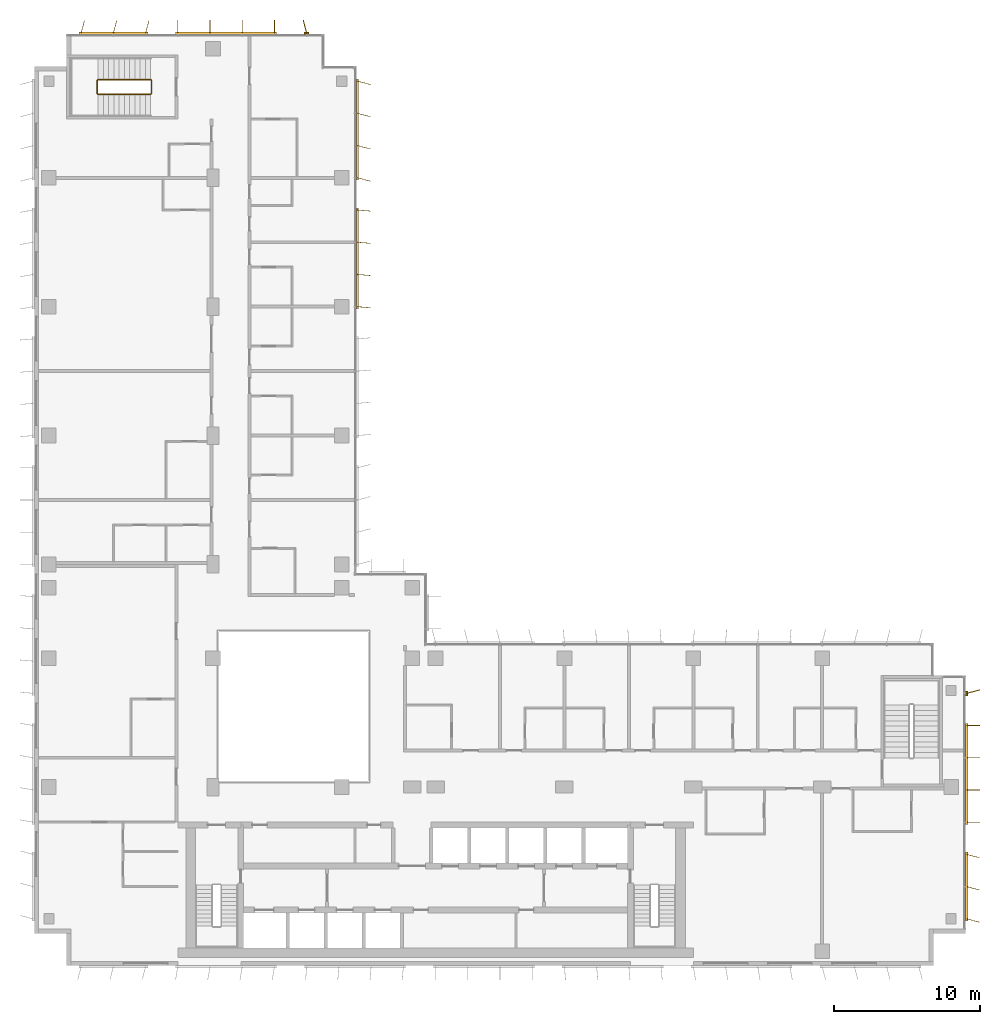
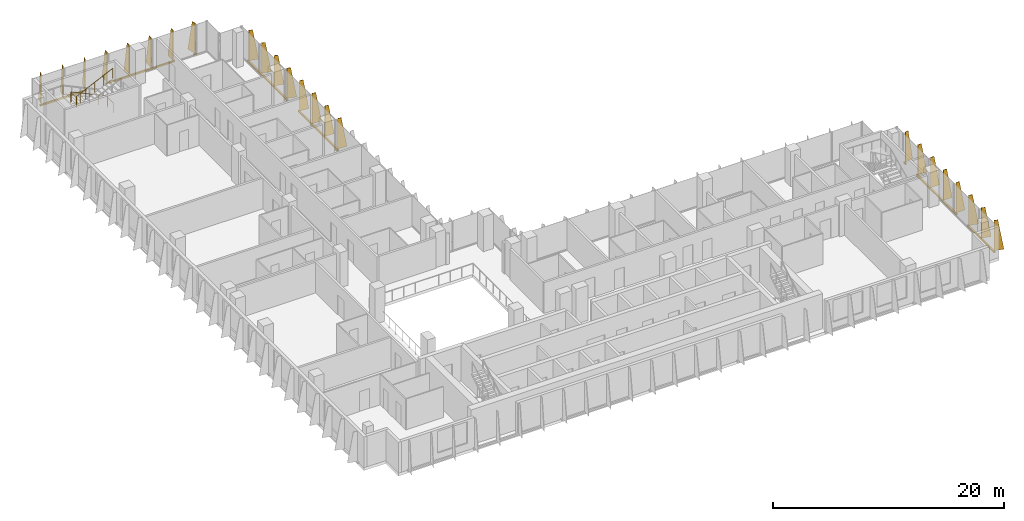
# One storey, part 21 of 21: 8 shading devices, 1 railing.
"""IFC4 building model written with IfcOpenShell, lengths in metres."""

from ifc_helpers import new_model, si_unit, direction, frame, origin, origin_2d, place, context, subcontext, project, spatial, polyline, rectangle, circle, outline, extrude, source, transform, mapped, material, layer, layer_set, type_object, element, save


model = new_model("IFC4")

# Units and contexts
model_context = context("Model", 3, precision=1e-05, world=origin(), true_north=direction((0.0, 1.0)))
body_context = subcontext(model_context, "Body", "Model", "MODEL_VIEW")
ifc_project = project(units=[si_unit("LENGTHUNIT", "METRE"), si_unit("AREAUNIT", "SQUARE_METRE"), si_unit("VOLUMEUNIT", "CUBIC_METRE"), si_unit("PLANEANGLEUNIT", "RADIAN"), si_unit("MASSUNIT", "GRAM", prefix="KILO")], contexts=[model_context])

# Site, building, storey
site_placement = place(None, origin())
site = spatial("IfcSite", under=ifc_project, at=site_placement, CompositionType="ELEMENT")
building_placement = place(site_placement, origin())
building = spatial("IfcBuilding", under=site, at=building_placement, Name="Kemantara Hotel Tower", CompositionType="ELEMENT")
storey_placement = place(building_placement, frame((0.0, 0.0, 219.10009765625)))
storey = spatial("IfcBuildingStorey", under=building, at=storey_placement, Name="L54", CompositionType="ELEMENT", Elevation=219.10009765625)

# Railing
ifc_material_1 = material(Name="Stainless steel balustrade", Category="steel")
railing_type = type_object("IfcRailingType", Name="Stair guard 1100 mm", PredefinedType="GUARDRAIL", material=ifc_material_1)
railing_placement = place(storey_placement, frame((7.949951171875, 59.5, 3.699951171875)))
element("IfcRailing", 1, at=railing_placement, inside=storey, type_object=railing_type, Name="L54 ST4 stair guard 1", PredefinedType="GUARDRAIL", context=body_context, shape_type="SweptSolid", body=[
    extrude(circle(Radius=0.02392578125, at=origin_2d()), frame((0.0, 0.0, 1.076171875), z_axis=(-0.905994681025, 0.0, -0.423289071386), x_axis=(0.0, -1.0, 0.0)), (0.0, 0.0, 1.0), 3.973388671875),
    extrude(circle(Radius=0.02392578125, at=origin_2d()), frame((-3.599853515625, 0.0, -0.60595703125), z_axis=(-0.274243871929, 0.274243871929, -0.92172696468), x_axis=(-0.707106781187, -0.707106781187, 0.0)), (0.0, 0.0, 1.0), 0.1826171875),
    extrude(circle(Radius=0.02392578125, at=origin_2d()), frame((-3.64990234375, 0.050048828125, -0.77392578125), z_axis=(0.0, 1.0, 0.0), x_axis=(-1.0, 0.0, 0.0)), (0.0, 0.0, 1.0), 0.89990234375),
    extrude(circle(Radius=0.02392578125, at=origin_2d()), frame((-3.64990234375, 0.949951171875, -0.77392578125), z_axis=(0.707106781187, 0.707106781187, 0.0), x_axis=(-0.707106781187, 0.707106781187, 0.0)), (0.0, 0.0, 1.0), 0.07080078125),
    extrude(circle(Radius=0.02392578125, at=origin_2d()), frame((-3.599853515625, 1.0, -0.77392578125), z_axis=(0.905994681025, 0.0, -0.423289071386), x_axis=(0.0, 1.0, 0.0)), (0.0, 0.0, 1.0), 3.973388671875),
    extrude(circle(Radius=0.02392578125, at=origin_2d()), frame((0.0, 1.0, -2.4560546875), z_axis=(0.274582412415, -0.274582412415, -0.921525364591), x_axis=(0.707106781187, 0.707106781187, 0.0)), (0.0, 0.0, 1.0), 0.182373046875),
    extrude(circle(Radius=0.02392578125, at=origin_2d()), frame((0.050048828125, 0.949951171875, -2.6240234375), z_axis=(0.0, -1.0, 0.0), x_axis=(1.0, 0.0, 0.0)), (0.0, 0.0, 1.0), 0.89990234375),
    extrude(circle(Radius=0.02099609375, at=origin_2d()), origin(), (0.0, 0.0, 1.0), 1.052001953125),
    extrude(circle(Radius=0.02099609375, at=origin_2d()), frame((-0.89990234375, 0.0, -0.42041015625)), (0.0, 0.0, 1.0), 1.052001953125),
    extrude(circle(Radius=0.02099609375, at=origin_2d()), frame((-1.7998046875, 0.0, -0.8408203125)), (0.0, 0.0, 1.0), 1.052001953125),
    extrude(circle(Radius=0.02099609375, at=origin_2d()), frame((-2.699951171875, 0.0, -1.261474609375)), (0.0, 0.0, 1.0), 1.052001953125),
    extrude(circle(Radius=0.02099609375, at=origin_2d()), frame((-3.599853515625, 0.0, -1.681884765625)), (0.0, 0.0, 1.0), 1.052001953125),
    extrude(circle(Radius=0.02099609375, at=origin_2d()), frame((-3.64990234375, 0.050048828125, -1.85009765625)), (0.0, 0.0, 1.0), 1.052001953125),
    extrude(circle(Radius=0.02099609375, at=origin_2d()), frame((-3.64990234375, 0.949951171875, -1.85009765625)), (0.0, 0.0, 1.0), 1.052001953125),
    extrude(circle(Radius=0.02099609375, at=origin_2d()), frame((-3.599853515625, 1.0, -1.85009765625)), (0.0, 0.0, 1.0), 1.052001953125),
    extrude(circle(Radius=0.02099609375, at=origin_2d()), frame((-2.699951171875, 1.0, -2.2705078125)), (0.0, 0.0, 1.0), 1.052001953125),
    extrude(circle(Radius=0.02099609375, at=origin_2d()), frame((-1.7998046875, 1.0, -2.69091796875)), (0.0, 0.0, 1.0), 1.052001953125),
    extrude(circle(Radius=0.02099609375, at=origin_2d()), frame((-0.89990234375, 1.0, -3.111572265625)), (0.0, 0.0, 1.0), 1.052001953125),
    extrude(circle(Radius=0.02099609375, at=origin_2d()), frame((0.0, 1.0, -3.531982421875)), (0.0, 0.0, 1.0), 1.052001953125),
    extrude(circle(Radius=0.02099609375, at=origin_2d()), frame((0.050048828125, 0.949951171875, -3.699951171875)), (0.0, 0.0, 1.0), 1.052001953125),
    extrude(circle(Radius=0.02099609375, at=origin_2d()), frame((0.050048828125, 0.050048828125, -3.699951171875)), (0.0, 0.0, 1.0), 1.052001953125),
])

# Shading devices
ifc_material_2 = material(Name="Perforated aluminium plate 4 mm bronze anodised", Category="aluminium")
ifc_layer_1 = layer(ifc_material_2, 0.0400390625)
ifc_layer_set_1 = layer_set([ifc_layer_1], Name="Perforated aluminium plate 4 mm bronze anodised")
shading_device_type_1 = type_object("IfcShadingDeviceType", Name="SCREEN FIN CASSETTE, 3 BLADES AT -15.0 DEG, 3200 HIGH", PredefinedType="USERDEFINED", material=ifc_layer_set_1)
shared_shape_1 = source(origin(), body_context, "Body", "SweptSolid", [
    extrude(rectangle(XDim=4.699951171875, YDim=0.14990234375, at=origin_2d()), frame((2.199951171875, -0.074951171875, -0.14990234375), z_axis=(0.0, 0.0, 1.0), x_axis=(1.0, 0.0, 0.0)), (0.0, 0.0, 1.0), 0.14990234375),
    extrude(outline(polyline([(0.0, 0.0), (0.89990234375, 0.0), (0.35009765625, 3.199951171875), (0.0, 3.199951171875), (0.0, 0.0)])), frame((0.019287109375, -0.080078125, 0.0), z_axis=(-0.966437683387, 0.256901156343, 0.0), x_axis=(-0.256901156343, -0.966437683387, 0.0)), (0.0, 0.0, 1.0), 0.039794921875),
    extrude(outline(polyline([(0.0, 0.0), (0.89990234375, 0.0), (0.35009765625, 3.199951171875), (0.0, 3.199951171875), (0.0, 0.0)])), frame((2.21923828125, -0.080078125, 0.0), z_axis=(-0.966437683387, 0.256901156343, 0.0), x_axis=(-0.256901156343, -0.966437683387, 0.0)), (0.0, 0.0, 1.0), 0.039794921875),
    extrude(outline(polyline([(0.0, 0.0), (0.89990234375, 0.0), (0.35009765625, 3.199951171875), (0.0, 3.199951171875), (0.0, 0.0)])), frame((4.41943359375, -0.080078125, 0.0), z_axis=(-0.966837822169, 0.255391122837, 0.0), x_axis=(-0.255391122837, -0.966837822169, 0.0)), (0.0, 0.0, 1.0), 0.0400390625),
])
for number, where, z_axis, x_axis, name in (
    (2, (7.60009765625, 63.60009765625, 0.099853515625), (0.0, 0.0, 1.0), (-1.0, 0.0, 0.0), "SCREEN FIN CASSETTE L54 T3-R02-3"),
    (3, (63.60009765625, 3.199951171875, 0.099853515625), (0.0, 0.0, 1.0), (0.0, 1.0, 0.0), "SCREEN FIN CASSETTE L54 T3-R11-1"),
):
    element("IfcShadingDevice", number, at=place(storey_placement, frame(where, z_axis=z_axis, x_axis=x_axis)), inside=storey, type_object=shading_device_type_1, Name=name, ObjectType="SCREEN FIN", PredefinedType="USERDEFINED", context=body_context, shape_type="MappedRepresentation", body=[
        mapped(shared_shape_1, transform((0.0, 0.0, 0.0))),
    ])
ifc_layer_2 = layer(ifc_material_2, 0.0400390625)
ifc_layer_set_2 = layer_set([ifc_layer_2], Name="Perforated aluminium plate 4 mm bronze anodised")
shading_device_type_2 = type_object("IfcShadingDeviceType", Name="SCREEN FIN CASSETTE, 4 BLADES AT -5.0 DEG, 3200 HIGH", PredefinedType="USERDEFINED", material=ifc_layer_set_2)
shared_shape_2 = source(origin(), body_context, "Body", "SweptSolid", [
    extrude(rectangle(XDim=6.89990234375, YDim=0.14990234375, at=origin_2d()), frame((3.300048828125, -0.074951171875, -0.14990234375), z_axis=(0.0, 0.0, 1.0), x_axis=(1.0, 0.0, 0.0)), (0.0, 0.0, 1.0), 0.14990234375),
    extrude(outline(polyline([(0.0, 0.0), (0.89990234375, 0.0), (0.35009765625, 3.199951171875), (0.0, 3.199951171875), (0.0, 0.0)])), frame((0.02001953125, -0.07666015625, 0.0), z_axis=(-0.996376129781, 0.085056498884, 0.0), x_axis=(-0.085056498884, -0.996376129781, 0.0)), (0.0, 0.0, 1.0), 0.040283203125),
    extrude(outline(polyline([(0.0, 0.0), (0.89990234375, 0.0), (0.35009765625, 3.199951171875), (0.0, 3.199951171875), (0.0, 0.0)])), frame((2.219970703125, -0.07666015625, 0.0), z_axis=(-0.996331773833, 0.085574508182, 0.0), x_axis=(-0.085574508182, -0.996331773833, 0.0)), (0.0, 0.0, 1.0), 0.0400390625),
    extrude(outline(polyline([(0.0, 0.0), (0.89990234375, 0.0), (0.35009765625, 3.199951171875), (0.0, 3.199951171875), (0.0, 0.0)])), frame((4.419921875, -0.07666015625, 0.0), z_axis=(-0.996331773833, 0.085574508182, 0.0), x_axis=(-0.085574508182, -0.996331773833, 0.0)), (0.0, 0.0, 1.0), 0.0400390625),
    extrude(outline(polyline([(0.0, 0.0), (0.89990234375, 0.0), (0.35009765625, 3.199951171875), (0.0, 3.199951171875), (0.0, 0.0)])), frame((6.619873046875, -0.07666015625, 0.0), z_axis=(-0.996331773833, 0.085574508182, 0.0), x_axis=(-0.085574508182, -0.996331773833, 0.0)), (0.0, 0.0, 1.0), 0.0400390625),
])
shading_device_1_placement = place(storey_placement, frame((22.0, 45.0, 0.099853515625), z_axis=(0.0, 0.0, 1.0), x_axis=(0.0, 1.0, 0.0)))
element("IfcShadingDevice", 4, at=shading_device_1_placement, inside=storey, type_object=shading_device_type_2, Name="SCREEN FIN CASSETTE L54 T3-R17-3", ObjectType="SCREEN FIN", PredefinedType="USERDEFINED", context=body_context, shape_type="MappedRepresentation", body=[
    mapped(shared_shape_2, transform((0.0, 0.0, 0.0))),
])
ifc_layer_3 = layer(ifc_material_2, 0.0400390625)
ifc_layer_set_3 = layer_set([ifc_layer_3], Name="Perforated aluminium plate 4 mm bronze anodised")
shading_device_type_3 = type_object("IfcShadingDeviceType", Name="SCREEN FIN CASSETTE, 4 BLADES AT +0.0 DEG, 3200 HIGH", PredefinedType="USERDEFINED", material=ifc_layer_set_3)
shared_shape_3 = source(origin(), body_context, "Body", "SweptSolid", [
    extrude(rectangle(XDim=6.89990234375, YDim=0.14990234375, at=origin_2d()), frame((3.300048828125, -0.074951171875, -0.14990234375), z_axis=(0.0, 0.0, 1.0), x_axis=(1.0, 0.0, 0.0)), (0.0, 0.0, 1.0), 0.14990234375),
    extrude(outline(polyline([(0.0, 0.0), (0.89990234375, 0.0), (0.35009765625, 3.199951171875), (0.0, 3.199951171875), (0.0, 0.0)])), frame((0.02001953125, -0.074951171875, 0.0), z_axis=(-1.0, 0.0, 0.0), x_axis=(0.0, -1.0, 0.0)), (0.0, 0.0, 1.0), 0.0400390625),
    extrude(outline(polyline([(0.0, 0.0), (0.89990234375, 0.0), (0.35009765625, 3.199951171875), (0.0, 3.199951171875), (0.0, 0.0)])), frame((2.219970703125, -0.074951171875, 0.0), z_axis=(-1.0, 0.0, 0.0), x_axis=(0.0, -1.0, 0.0)), (0.0, 0.0, 1.0), 0.0400390625),
    extrude(outline(polyline([(0.0, 0.0), (0.89990234375, 0.0), (0.35009765625, 3.199951171875), (0.0, 3.199951171875), (0.0, 0.0)])), frame((4.419921875, -0.074951171875, 0.0), z_axis=(-1.0, 0.0, 0.0), x_axis=(0.0, -1.0, 0.0)), (0.0, 0.0, 1.0), 0.0400390625),
    extrude(outline(polyline([(0.0, 0.0), (0.89990234375, 0.0), (0.35009765625, 3.199951171875), (0.0, 3.199951171875), (0.0, 0.0)])), frame((6.6201171875, -0.074951171875, 0.0), z_axis=(-1.0, 0.0, 0.0), x_axis=(0.0, -1.0, 0.0)), (0.0, 0.0, 1.0), 0.0400390625),
])
for number, where, z_axis, x_axis, name in (
    (5, (16.39990234375, 63.60009765625, 0.099853515625), (0.0, 0.0, 1.0), (-1.0, 0.0, 0.0), "SCREEN FIN CASSETTE L54 T3-R02-2"),
    (6, (63.60009765625, 9.800048828125, 0.099853515625), (0.0, 0.0, 1.0), (0.0, 1.0, 0.0), "SCREEN FIN CASSETTE L54 T3-R11-2"),
):
    element("IfcShadingDevice", number, at=place(storey_placement, frame(where, z_axis=z_axis, x_axis=x_axis)), inside=storey, type_object=shading_device_type_3, Name=name, ObjectType="SCREEN FIN", PredefinedType="USERDEFINED", context=body_context, shape_type="MappedRepresentation", body=[
        mapped(shared_shape_3, transform((0.0, 0.0, 0.0))),
    ])
ifc_layer_4 = layer(ifc_material_2, 0.0400390625)
ifc_layer_set_4 = layer_set([ifc_layer_4], Name="Perforated aluminium plate 4 mm bronze anodised")
shading_device_type_4 = type_object("IfcShadingDeviceType", Name="SCREEN FIN CASSETTE, 4 BLADES AT -15.0 DEG, 3200 HIGH", PredefinedType="USERDEFINED", material=ifc_layer_set_4)
shared_shape_4 = source(origin(), body_context, "Body", "SweptSolid", [
    extrude(rectangle(XDim=6.89990234375, YDim=0.14990234375, at=origin_2d()), frame((3.300048828125, -0.074951171875, -0.14990234375), z_axis=(0.0, 0.0, 1.0), x_axis=(1.0, 0.0, 0.0)), (0.0, 0.0, 1.0), 0.14990234375),
    extrude(outline(polyline([(0.0, 0.0), (0.89990234375, 0.0), (0.35009765625, 3.199951171875), (0.0, 3.199951171875), (0.0, 0.0)])), frame((0.019287109375, -0.080078125, 0.0), z_axis=(-0.966437683387, 0.256901156343, 0.0), x_axis=(-0.256901156343, -0.966437683387, 0.0)), (0.0, 0.0, 1.0), 0.039794921875),
    extrude(outline(polyline([(0.0, 0.0), (0.89990234375, 0.0), (0.35009765625, 3.199951171875), (0.0, 3.199951171875), (0.0, 0.0)])), frame((2.21923828125, -0.080078125, 0.0), z_axis=(-0.966437683387, 0.256901156343, 0.0), x_axis=(-0.256901156343, -0.966437683387, 0.0)), (0.0, 0.0, 1.0), 0.039794921875),
    extrude(outline(polyline([(0.0, 0.0), (0.89990234375, 0.0), (0.35009765625, 3.199951171875), (0.0, 3.199951171875), (0.0, 0.0)])), frame((4.41943359375, -0.080078125, 0.0), z_axis=(-0.966837822169, 0.255391122837, 0.0), x_axis=(-0.255391122837, -0.966837822169, 0.0)), (0.0, 0.0, 1.0), 0.0400390625),
    extrude(outline(polyline([(0.0, 0.0), (0.89990234375, 0.0), (0.35009765625, 3.199951171875), (0.0, 3.199951171875), (0.0, 0.0)])), frame((6.619384765625, -0.080078125, 0.0), z_axis=(-0.966837822169, 0.255391122837, 0.0), x_axis=(-0.255391122837, -0.966837822169, 0.0)), (0.0, 0.0, 1.0), 0.0400390625),
])
shading_device_2_placement = place(storey_placement, frame((22.0, 53.800048828125, 0.099853515625), z_axis=(0.0, 0.0, 1.0), x_axis=(0.0, 1.0, 0.0)))
element("IfcShadingDevice", 7, at=shading_device_2_placement, inside=storey, type_object=shading_device_type_4, Name="SCREEN FIN CASSETTE L54 T3-R17-4", ObjectType="SCREEN FIN", PredefinedType="USERDEFINED", context=body_context, shape_type="MappedRepresentation", body=[
    mapped(shared_shape_4, transform((0.0, 0.0, 0.0))),
])
ifc_layer_5 = layer(ifc_material_2, 0.0400390625)
ifc_layer_set_5 = layer_set([ifc_layer_5], Name="Perforated aluminium plate 4 mm bronze anodised")
shading_device_type_5 = type_object("IfcShadingDeviceType", Name="SCREEN FIN CASSETTE, 1 BLADE AT +15.0 DEG, 3200 HIGH", PredefinedType="USERDEFINED", material=ifc_layer_set_5)
shared_shape_5 = source(origin(), body_context, "Body", "SweptSolid", [
    extrude(rectangle(XDim=0.300048828125, YDim=0.14990234375, at=origin_2d()), frame((0.0, -0.074951171875, -0.14990234375), z_axis=(0.0, 0.0, 1.0), x_axis=(1.0, 0.0, 0.0)), (0.0, 0.0, 1.0), 0.14990234375),
    extrude(outline(polyline([(0.0, 0.0), (0.89990234375, 0.0), (0.35009765625, 3.199951171875), (0.0, 3.199951171875), (0.0, 0.0)])), frame((0.019287109375, -0.06982421875, 0.0), z_axis=(-0.966437683387, -0.256901156343, 0.0), x_axis=(0.256901156343, -0.966437683387, 0.0)), (0.0, 0.0, 1.0), 0.039794921875),
])
for number, where, z_axis, x_axis, name in (
    (8, (18.60009765625, 63.60009765625, 0.099853515625), (0.0, 0.0, 1.0), (-1.0, 0.0, 0.0), "SCREEN FIN CASSETTE L54 T3-R02-1"),
    (9, (63.60009765625, 18.60009765625, 0.099853515625), (0.0, 0.0, 1.0), (0.0, 1.0, 0.0), "SCREEN FIN CASSETTE L54 T3-R11-3"),
):
    element("IfcShadingDevice", number, at=place(storey_placement, frame(where, z_axis=z_axis, x_axis=x_axis)), inside=storey, type_object=shading_device_type_5, Name=name, ObjectType="SCREEN FIN", PredefinedType="USERDEFINED", context=body_context, shape_type="MappedRepresentation", body=[
        mapped(shared_shape_5, transform((0.0, 0.0, 0.0))),
    ])

save(model, "model.ifc")
